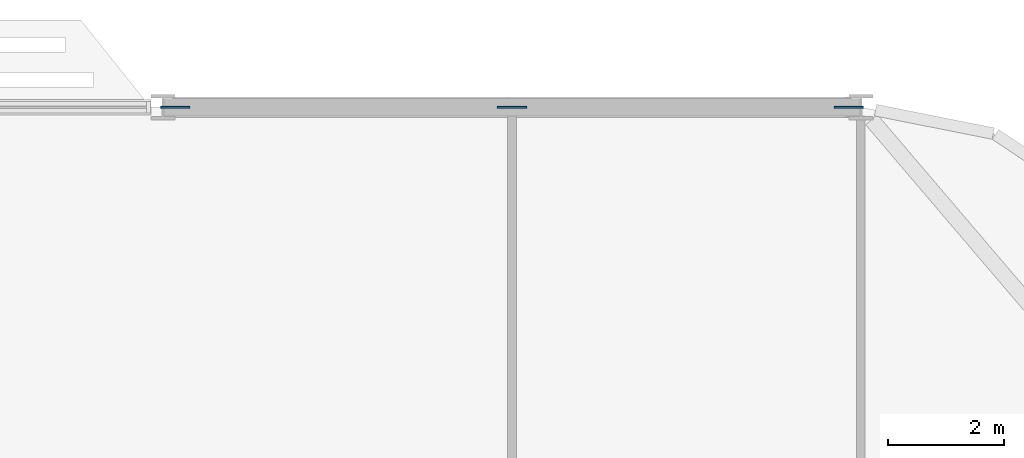
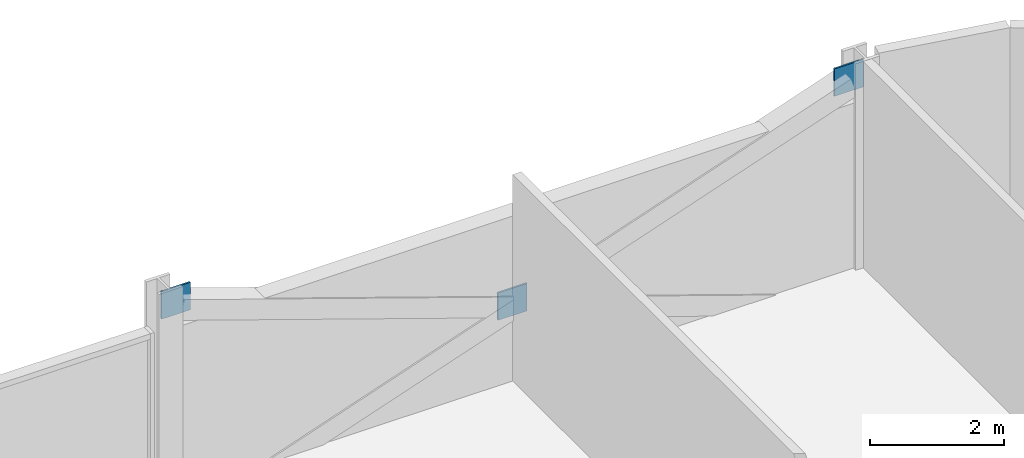
# One storey, part 23 of 28: 3 discrete accessories.
"""IFC4 building model written with IfcOpenShell, lengths in metres."""

from ifc_helpers import new_model, si_unit, direction, frame, origin, origin_2d, place, context, subcontext, project, spatial, rectangle, extrude, material, layer, layer_set, type_object, element, save


model = new_model("IFC4")

# Units and contexts
model_context = context("Model", 3, precision=1e-05, world=origin(), true_north=direction((0.0, 1.0)))
body_context = subcontext(model_context, "Body", "Model", "MODEL_VIEW")
ifc_project = project(units=[si_unit("LENGTHUNIT", "METRE"), si_unit("AREAUNIT", "SQUARE_METRE"), si_unit("VOLUMEUNIT", "CUBIC_METRE"), si_unit("PLANEANGLEUNIT", "RADIAN"), si_unit("MASSUNIT", "GRAM", prefix="KILO")], contexts=[model_context])

# Site, building, storey
site_placement = place(None, origin())
site = spatial("IfcSite", under=ifc_project, at=site_placement, CompositionType="ELEMENT")
building_placement = place(site_placement, origin())
building = spatial("IfcBuilding", under=site, at=building_placement, Name="Mahtab Terrace Research Tower", CompositionType="ELEMENT")
storey_placement = place(building_placement, frame((0.0, 0.0, 134.300048828125)))
storey = spatial("IfcBuildingStorey", under=building, at=storey_placement, Name="L31", CompositionType="ELEMENT", Elevation=134.300048828125)

# Discrete accessories
ifc_material = material(Name="Steel ASTM A992 Gr 50", Category="steel")
ifc_layer = layer(ifc_material, 0.030029296875)
ifc_layer_set = layer_set([ifc_layer], Name="Gusset plate 500x500x30")
discrete_accessory_type = type_object("IfcDiscreteAccessoryType", Name="Gusset plate 500x500x30", PredefinedType="USERDEFINED", material=ifc_layer_set)
for number, where, z_axis, x_axis, name in (
    (1, (30.205810546875, 29.0, 3.131591796875), (0.0, 0.0, 1.0), (1.0, 0.0, 0.0), "Gusset plate"),
    (2, (36.0, 29.0, 1.08154296875), (0.0, 0.0, 1.0), (1.0, 0.0, 0.0), "Gusset plate"),
    (3, (41.794189453125, 29.0, 3.131591796875), (0.0, 0.0, 1.0), (1.0, 0.0, 0.0), "Gusset plate"),
):
    element("IfcDiscreteAccessory", number, at=place(storey_placement, frame(where, z_axis=z_axis, x_axis=x_axis)), inside=storey, type_object=discrete_accessory_type, Name=name, ObjectType="GUSSET PLATE", PredefinedType="USERDEFINED", context=body_context, shape_type="SweptSolid", body=[
        extrude(rectangle(XDim=0.5, YDim=0.030029296875, at=origin_2d()), origin(), (0.0, 0.0, 1.0), 0.5),
    ])

save(model, "model.ifc")
